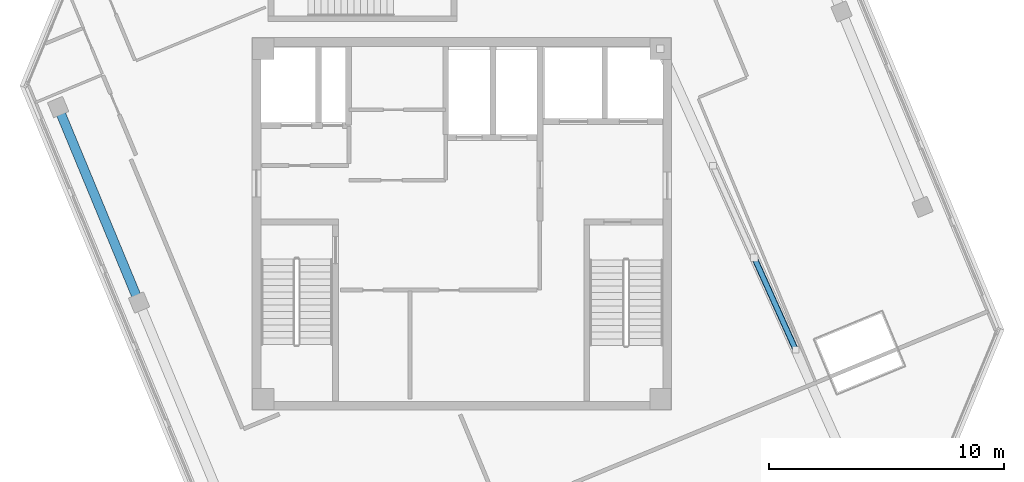
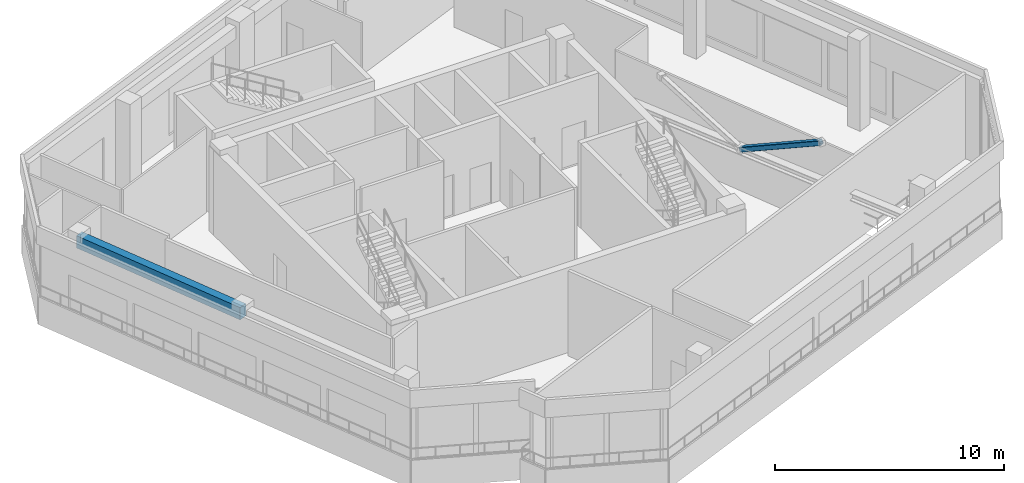
# One storey, part 3 of 17: 1 beam, 1 member.
"""IFC4 building model written with IfcOpenShell, lengths in metres."""

from ifc_helpers import new_model, si_unit, direction, frame, origin, origin_2d, place, context, subcontext, project, spatial, rectangle, hollow_rectangle, extrude, source, transform, mapped, material, material_profile, profile_set, type_object, element, save


model = new_model("IFC4")

# Units and contexts
model_context = context("Model", 3, precision=1e-05, world=origin(), true_north=direction((0.0, 1.0)))
body_context = subcontext(model_context, "Body", "Model", "MODEL_VIEW")
ifc_project = project(units=[si_unit("LENGTHUNIT", "METRE"), si_unit("AREAUNIT", "SQUARE_METRE"), si_unit("VOLUMEUNIT", "CUBIC_METRE"), si_unit("PLANEANGLEUNIT", "RADIAN"), si_unit("MASSUNIT", "GRAM", prefix="KILO")], contexts=[model_context])

# Site, building, storey
site_placement = place(None, origin())
site = spatial("IfcSite", under=ifc_project, at=site_placement, CompositionType="ELEMENT")
building_placement = place(site_placement, origin())
building = spatial("IfcBuilding", under=site, at=building_placement, Name="Torre Montelarca", CompositionType="ELEMENT")
storey_placement = place(building_placement, frame((0.0, 0.0, 355.199951171875)))
storey = spatial("IfcBuildingStorey", under=building, at=storey_placement, Name="L80", CompositionType="ELEMENT", Elevation=355.199951171875)

# Beam
ifc_material_1 = material(Name="Concrete C40/50", Category="concrete")
ifc_material_profile_1 = material_profile(ifc_material_1, rectangle(XDim=0.39990234375, YDim=0.64990234375, at=origin_2d()), Name="RCB400X650", Category="concrete")
ifc_profile_set_1 = profile_set([ifc_material_profile_1], Name="Concrete C40/50")
beam_type = type_object("IfcBeamType", Name="BM-SP-RC650-EXT", PredefinedType="SPANDREL", material=ifc_profile_set_1)
shared_shape_1 = source(origin(), body_context, "Body", "SweptSolid", [
    extrude(rectangle(XDim=0.39990234375, YDim=0.64990234375, at=origin_2d()), origin(), (0.0, 0.0, 1.0), 9.0),
])
beam_placement = place(storey_placement, frame((0.82568359375, 36.96630859375, 4.195068359375), z_axis=(0.382699975578, -0.923872679915, 0.0), x_axis=(0.923872679915, 0.382699975578, 0.0)))
element("IfcBeam", 1, at=beam_placement, inside=storey, type_object=beam_type, Name="L80 Grid Girder X 9.0-18.0 at Y=14.8", PredefinedType="SPANDREL", context=body_context, shape_type="MappedRepresentation", body=[
    mapped(shared_shape_1, transform((0.0, 0.0, 0.0), scale=1.0)),
])

# Member
ifc_material_2 = material(Name="Steel ASTM A500 Grade C", Category="steel")
ifc_material_profile_2 = material_profile(ifc_material_2, hollow_rectangle(XDim=0.25390625, YDim=0.25390625, WallThickness=0.015869140625, InnerFilletRadius=0.015869140625, OuterFilletRadius=0.03173828125, at=origin_2d()), Name="HSS254X254X15.9", Category="steel")
ifc_profile_set_2 = profile_set([ifc_material_profile_2], Name="Steel ASTM A500 Grade C")
member_type = type_object("IfcMemberType", Name="MB-ST-HSS254", PredefinedType="STRUT", material=ifc_profile_set_2)
shared_shape_2 = source(origin(), body_context, "Body", "SweptSolid", [
    extrude(hollow_rectangle(XDim=0.25390625, YDim=0.25390625, WallThickness=0.015869140625, InnerFilletRadius=0.015869140625, OuterFilletRadius=0.03173828125, at=origin_2d()), origin(), (0.0, 0.0, 1.0), 4.7802734375),
])
member_placement = place(storey_placement, frame((32.20263671875, 26.64501953125, 4.66015625), z_axis=(-0.367723256533, 0.818490681833, -0.441421125863), x_axis=(-0.91217054629, -0.409810803275, 0.0)))
element("IfcMember", 2, at=member_placement, inside=storey, type_object=member_type, Name="L80 Tuned Mass Damper TMD-01 Pendulum Hanger 2", PredefinedType="STRUT", context=body_context, shape_type="MappedRepresentation", body=[
    mapped(shared_shape_2, transform((0.0, 0.0, 0.0), scale=1.0)),
])

save(model, "model.ifc")
